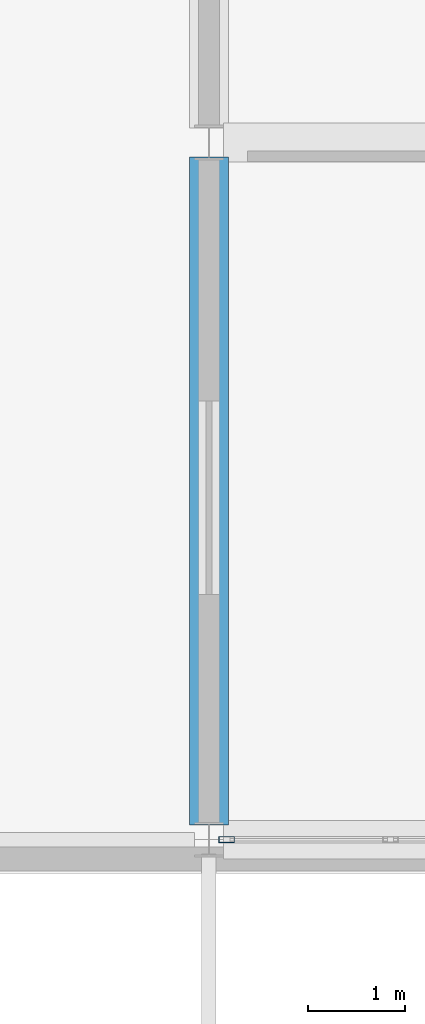
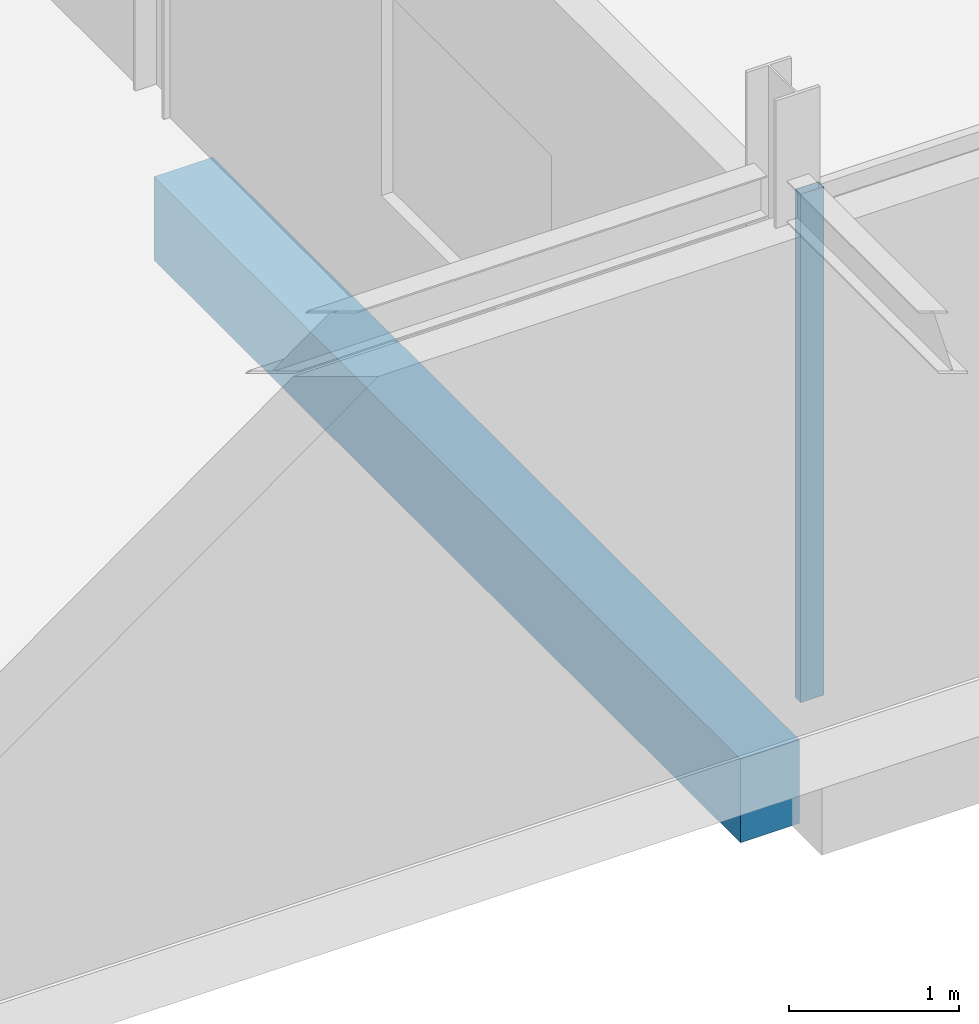
# One storey, part 27 of 139: 1 beam, 1 member, 1 element without a shape of its own.
"""IFC4 building model written with IfcOpenShell, lengths in metres."""

from ifc_helpers import new_model, si_unit, direction, frame, origin, origin_2d, place, context, subcontext, project, spatial, rectangle, hollow_rectangle, extrude, material, material_profile, profile_set, type_object, element, aggregate, save


model = new_model("IFC4")

# Units and contexts
model_context = context("Model", 3, precision=1e-05, world=origin(), true_north=direction((0.0, 1.0)))
body_context = subcontext(model_context, "Body", "Model", "MODEL_VIEW")
ifc_project = project(units=[si_unit("LENGTHUNIT", "METRE"), si_unit("AREAUNIT", "SQUARE_METRE"), si_unit("VOLUMEUNIT", "CUBIC_METRE"), si_unit("PLANEANGLEUNIT", "RADIAN"), si_unit("MASSUNIT", "GRAM", prefix="KILO")], contexts=[model_context])

# Site, building, storey
site_placement = place(None, origin())
site = spatial("IfcSite", under=ifc_project, at=site_placement, CompositionType="ELEMENT")
building_placement = place(site_placement, origin())
building = spatial("IfcBuilding", under=site, at=building_placement, Name="Suanplinth Sawtooth Commons", CompositionType="ELEMENT")
storey_placement = place(building_placement, origin())
storey = spatial("IfcBuildingStorey", under=building, at=storey_placement, Name="L00", CompositionType="ELEMENT", Elevation=0.0)

# Beam
ifc_material_1 = material(Name="Precast concrete C40/50", Category="concrete")
ifc_material_profile_1 = material_profile(ifc_material_1, rectangle(XDim=0.39990234375, YDim=0.60009765625, at=origin_2d()), Name="PC-GDR 400x600")
ifc_profile_set_1 = profile_set([ifc_material_profile_1], Name="Precast concrete C40/50")
beam_type = type_object("IfcBeamType", Name="B-05", PredefinedType="USERDEFINED", material=ifc_profile_set_1)
beam_placement = place(storey_placement, frame((14.39990234375, 50.550048828125, -0.7099609375), z_axis=(0.0, 1.0, 0.0), x_axis=(-1.0, 0.0, 0.0)))
element("IfcBeam", 1, at=beam_placement, inside=storey, type_object=beam_type, Name="BMY-L00-MKT-2-7", ObjectType="GIRDER", PredefinedType="USERDEFINED", context=body_context, shape_type="SweptSolid", body=[
    extrude(rectangle(XDim=0.39990234375, YDim=0.60009765625, at=origin_2d()), origin(), (0.0, 0.0, 1.0), 6.89990234375),
])

# Curtain wall, member
ifc_material_2 = material(Name="Anodized aluminium and low-E glazing", Category="aluminium")
curtain_wall_type = type_object("IfcCurtainWallType", Name="CW-02", PredefinedType="USERDEFINED", material=ifc_material_2)
curtain_wall_placement = place(storey_placement, origin())
curtain_wall = element("IfcCurtainWall", 2, at=curtain_wall_placement, inside=storey, type_object=curtain_wall_type, Name="Curtain Wall CW-L00-MKT-S-2", ObjectType="CURTAIN WALL", PredefinedType="USERDEFINED")
ifc_material_3 = material(Name="Anodized aluminium 6063-T6", Category="aluminium")
ifc_material_profile_2 = material_profile(ifc_material_3, hollow_rectangle(XDim=0.06494140625, YDim=0.159912109375, WallThickness=0.00390625, at=origin_2d()), Name="ALU-MUL 65x160")
ifc_profile_set_2 = profile_set([ifc_material_profile_2], Name="Anodized aluminium 6063-T6")
member_type = type_object("IfcMemberType", Name="M-13", PredefinedType="MULLION", material=ifc_profile_set_2)
member_placement = place(storey_placement, frame((14.58251953125, 50.39990234375, 0.0), z_axis=(0.0, 0.0, 1.0), x_axis=(0.0, 1.0, 0.0)))
member = element("IfcMember", 3, at=member_placement, type_object=member_type, Name="CW-02 mullion 1", PredefinedType="MULLION", context=body_context, shape_type="SweptSolid", body=[
    extrude(hollow_rectangle(XDim=0.06494140625, YDim=0.159912109375, WallThickness=0.00390625, at=origin_2d()), origin(), (0.0, 0.0, 1.0), 3.64990234375),
])
aggregate(curtain_wall, [member])

save(model, "model.ifc")
